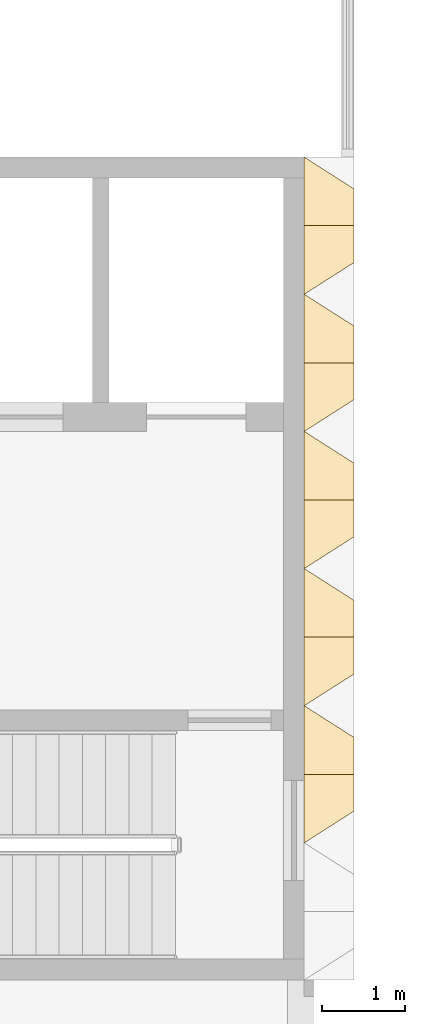
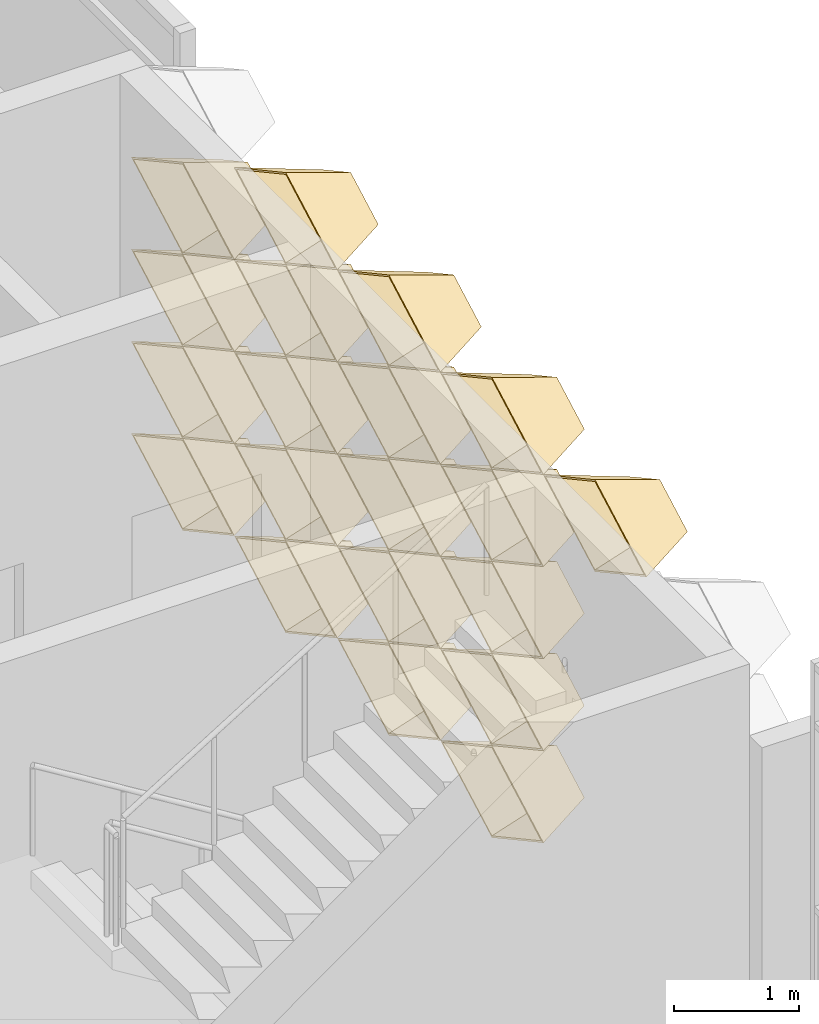
# One storey, part 80 of 102: 20 coverings.
"""IFC4 building model written with IfcOpenShell, lengths in metres."""

from ifc_helpers import new_model, entity, si_unit, direction, frame, origin, place, context, subcontext, project, spatial, material, layer, layer_set, type_object, element, save


model = new_model("IFC4")

# Units and contexts
model_context = context("Model", 3, precision=1e-05, world=origin(), true_north=direction((0.0, 1.0)))
body_context = subcontext(model_context, "Body", "Model", "MODEL_VIEW")
ifc_project = project(units=[si_unit("LENGTHUNIT", "METRE"), si_unit("AREAUNIT", "SQUARE_METRE"), si_unit("VOLUMEUNIT", "CUBIC_METRE"), si_unit("PLANEANGLEUNIT", "RADIAN"), si_unit("MASSUNIT", "GRAM", prefix="KILO")], contexts=[model_context])

# Site, building, storey
site_placement = place(None, origin())
site = spatial("IfcSite", under=ifc_project, at=site_placement, CompositionType="ELEMENT")
building_placement = place(site_placement, origin())
building = spatial("IfcBuilding", under=site, at=building_placement, Name="Lantern Court Research Institute", CompositionType="ELEMENT")
storey_placement = place(building_placement, frame((0.0, 0.0, 9.89990234375)))
storey = spatial("IfcBuildingStorey", under=building, at=storey_placement, Name="L02", CompositionType="ELEMENT", Elevation=9.89990234375)

# Coverings
ifc_material = material(Name="Anodised aluminium", Category="aluminium")
ifc_layer = layer(ifc_material, 0.01611328125)
ifc_layer_set = layer_set([ifc_layer], Name="Anodised aluminium")
covering_type = type_object("IfcCoveringType", Name="Fin cassette 1650 x 900 x 600 aluminium", PredefinedType="CLADDING", material=ifc_layer_set)
covering_1_placement = place(storey_placement, frame((79.199951171875, 17.324951171875, 0.4501953125), z_axis=(1.0, 0.0, 0.0), x_axis=(0.0, 1.0, 0.0)))
cartesian_point_1 = entity("IfcCartesianPoint", [0.824951171875, 0.0])
cartesian_point_2 = entity("IfcCartesianPoint", [0.79150390625, 0.0])
cartesian_point_3 = entity("IfcCartesianPoint", [0.44189453125, 0.0])
cartesian_point_4 = entity("IfcCartesianPoint", [0.43359375, 0.0])
element("IfcCovering", 1, at=covering_1_placement, inside=storey, type_object=covering_type, Name="Fin cassette V5E-L02 1.11", PredefinedType="CLADDING", context=body_context, shape_type="SweptSolid", body=[
    entity("IfcExtrudedAreaSolidTapered", entity("IfcArbitraryProfileDefWithVoids", "AREA", None, entity("IfcPolyline", [cartesian_point_1, entity("IfcCartesianPoint", [0.0, 0.449951171875]), entity("IfcCartesianPoint", [-0.824951171875, 0.0]), entity("IfcCartesianPoint", [0.0, -0.449951171875]), cartesian_point_1]), [entity("IfcPolyline", [cartesian_point_2, entity("IfcCartesianPoint", [0.0, 0.431884765625]), entity("IfcCartesianPoint", [-0.79150390625, 0.0]), entity("IfcCartesianPoint", [0.0, -0.431884765625]), cartesian_point_2])]), entity("IfcAxis2Placement3D", entity("IfcCartesianPoint", [0.0, 0.0, 0.0])), entity("IfcDirection", [0.0, 0.0, 1.0]), 0.60009765625, entity("IfcArbitraryProfileDefWithVoids", "AREA", None, entity("IfcPolyline", [cartesian_point_3, entity("IfcCartesianPoint", [0.0, 0.240966796875]), entity("IfcCartesianPoint", [-0.44189453125, 0.0]), entity("IfcCartesianPoint", [0.0, -0.240966796875]), cartesian_point_3]), [entity("IfcPolyline", [cartesian_point_4, entity("IfcCartesianPoint", [0.0, 0.236572265625]), entity("IfcCartesianPoint", [-0.43359375, 0.0]), entity("IfcCartesianPoint", [0.0, -0.236572265625]), cartesian_point_4])])),
])
covering_2_placement = place(storey_placement, frame((79.199951171875, 18.97509765625, 0.4501953125), z_axis=(1.0, 0.0, 0.0), x_axis=(0.0, 1.0, 0.0)))
cartesian_point_5 = entity("IfcCartesianPoint", [0.824951171875, 0.0])
cartesian_point_6 = entity("IfcCartesianPoint", [0.79150390625, 0.0])
cartesian_point_7 = entity("IfcCartesianPoint", [0.44189453125, 0.0])
cartesian_point_8 = entity("IfcCartesianPoint", [0.43359375, 0.0])
element("IfcCovering", 2, at=covering_2_placement, inside=storey, type_object=covering_type, Name="Fin cassette V5E-L02 1.12", PredefinedType="CLADDING", context=body_context, shape_type="SweptSolid", body=[
    entity("IfcExtrudedAreaSolidTapered", entity("IfcArbitraryProfileDefWithVoids", "AREA", None, entity("IfcPolyline", [cartesian_point_5, entity("IfcCartesianPoint", [0.0, 0.449951171875]), entity("IfcCartesianPoint", [-0.824951171875, 0.0]), entity("IfcCartesianPoint", [0.0, -0.449951171875]), cartesian_point_5]), [entity("IfcPolyline", [cartesian_point_6, entity("IfcCartesianPoint", [0.0, 0.431884765625]), entity("IfcCartesianPoint", [-0.79150390625, 0.0]), entity("IfcCartesianPoint", [0.0, -0.431884765625]), cartesian_point_6])]), entity("IfcAxis2Placement3D", entity("IfcCartesianPoint", [0.0, 0.0, 0.0])), entity("IfcDirection", [0.0, 0.0, 1.0]), 0.60009765625, entity("IfcArbitraryProfileDefWithVoids", "AREA", None, entity("IfcPolyline", [cartesian_point_7, entity("IfcCartesianPoint", [0.0, 0.240966796875]), entity("IfcCartesianPoint", [-0.44189453125, 0.0]), entity("IfcCartesianPoint", [0.0, -0.240966796875]), cartesian_point_7]), [entity("IfcPolyline", [cartesian_point_8, entity("IfcCartesianPoint", [0.0, 0.236572265625]), entity("IfcCartesianPoint", [-0.43359375, 0.0]), entity("IfcCartesianPoint", [0.0, -0.236572265625]), cartesian_point_8])])),
])
covering_3_placement = place(storey_placement, frame((79.199951171875, 20.625, 0.4501953125), z_axis=(1.0, 0.0, 0.0), x_axis=(0.0, 1.0, 0.0)))
cartesian_point_9 = entity("IfcCartesianPoint", [0.824951171875, 0.0])
cartesian_point_10 = entity("IfcCartesianPoint", [0.79150390625, 0.0])
cartesian_point_11 = entity("IfcCartesianPoint", [0.44189453125, 0.0])
cartesian_point_12 = entity("IfcCartesianPoint", [0.43359375, 0.0])
element("IfcCovering", 3, at=covering_3_placement, inside=storey, type_object=covering_type, Name="Fin cassette V5E-L02 1.13", PredefinedType="CLADDING", context=body_context, shape_type="SweptSolid", body=[
    entity("IfcExtrudedAreaSolidTapered", entity("IfcArbitraryProfileDefWithVoids", "AREA", None, entity("IfcPolyline", [cartesian_point_9, entity("IfcCartesianPoint", [0.0, 0.449951171875]), entity("IfcCartesianPoint", [-0.824951171875, 0.0]), entity("IfcCartesianPoint", [0.0, -0.449951171875]), cartesian_point_9]), [entity("IfcPolyline", [cartesian_point_10, entity("IfcCartesianPoint", [0.0, 0.431884765625]), entity("IfcCartesianPoint", [-0.79150390625, 0.0]), entity("IfcCartesianPoint", [0.0, -0.431884765625]), cartesian_point_10])]), entity("IfcAxis2Placement3D", entity("IfcCartesianPoint", [0.0, 0.0, 0.0])), entity("IfcDirection", [0.0, 0.0, 1.0]), 0.60009765625, entity("IfcArbitraryProfileDefWithVoids", "AREA", None, entity("IfcPolyline", [cartesian_point_11, entity("IfcCartesianPoint", [0.0, 0.240966796875]), entity("IfcCartesianPoint", [-0.44189453125, 0.0]), entity("IfcCartesianPoint", [0.0, -0.240966796875]), cartesian_point_11]), [entity("IfcPolyline", [cartesian_point_12, entity("IfcCartesianPoint", [0.0, 0.236572265625]), entity("IfcCartesianPoint", [-0.43359375, 0.0]), entity("IfcCartesianPoint", [0.0, -0.236572265625]), cartesian_point_12])])),
])
covering_4_placement = place(storey_placement, frame((79.199951171875, 22.27490234375, 0.4501953125), z_axis=(1.0, 0.0, 0.0), x_axis=(0.0, 1.0, 0.0)))
cartesian_point_13 = entity("IfcCartesianPoint", [0.824951171875, 0.0])
cartesian_point_14 = entity("IfcCartesianPoint", [0.79150390625, 0.0])
cartesian_point_15 = entity("IfcCartesianPoint", [0.44189453125, 0.0])
cartesian_point_16 = entity("IfcCartesianPoint", [0.43359375, 0.0])
element("IfcCovering", 4, at=covering_4_placement, inside=storey, type_object=covering_type, Name="Fin cassette V5E-L02 1.14", PredefinedType="CLADDING", context=body_context, shape_type="SweptSolid", body=[
    entity("IfcExtrudedAreaSolidTapered", entity("IfcArbitraryProfileDefWithVoids", "AREA", None, entity("IfcPolyline", [cartesian_point_13, entity("IfcCartesianPoint", [0.0, 0.449951171875]), entity("IfcCartesianPoint", [-0.824951171875, 0.0]), entity("IfcCartesianPoint", [0.0, -0.449951171875]), cartesian_point_13]), [entity("IfcPolyline", [cartesian_point_14, entity("IfcCartesianPoint", [0.0, 0.431884765625]), entity("IfcCartesianPoint", [-0.79150390625, 0.0]), entity("IfcCartesianPoint", [0.0, -0.431884765625]), cartesian_point_14])]), entity("IfcAxis2Placement3D", entity("IfcCartesianPoint", [0.0, 0.0, 0.0])), entity("IfcDirection", [0.0, 0.0, 1.0]), 0.60009765625, entity("IfcArbitraryProfileDefWithVoids", "AREA", None, entity("IfcPolyline", [cartesian_point_15, entity("IfcCartesianPoint", [0.0, 0.240966796875]), entity("IfcCartesianPoint", [-0.44189453125, 0.0]), entity("IfcCartesianPoint", [0.0, -0.240966796875]), cartesian_point_15]), [entity("IfcPolyline", [cartesian_point_16, entity("IfcCartesianPoint", [0.0, 0.236572265625]), entity("IfcCartesianPoint", [-0.43359375, 0.0]), entity("IfcCartesianPoint", [0.0, -0.236572265625]), cartesian_point_16])])),
])
covering_5_placement = place(storey_placement, frame((79.199951171875, 17.324951171875, 1.35009765625), z_axis=(1.0, 0.0, 0.0), x_axis=(0.0, 1.0, 0.0)))
cartesian_point_17 = entity("IfcCartesianPoint", [0.824951171875, 0.0])
cartesian_point_18 = entity("IfcCartesianPoint", [0.79150390625, 0.0])
cartesian_point_19 = entity("IfcCartesianPoint", [0.44189453125, 0.0])
cartesian_point_20 = entity("IfcCartesianPoint", [0.43359375, 0.0])
element("IfcCovering", 5, at=covering_5_placement, inside=storey, type_object=covering_type, Name="Fin cassette V5E-L02 2.11", PredefinedType="CLADDING", context=body_context, shape_type="SweptSolid", body=[
    entity("IfcExtrudedAreaSolidTapered", entity("IfcArbitraryProfileDefWithVoids", "AREA", None, entity("IfcPolyline", [cartesian_point_17, entity("IfcCartesianPoint", [0.0, 0.449951171875]), entity("IfcCartesianPoint", [-0.824951171875, 0.0]), entity("IfcCartesianPoint", [0.0, -0.449951171875]), cartesian_point_17]), [entity("IfcPolyline", [cartesian_point_18, entity("IfcCartesianPoint", [0.0, 0.431884765625]), entity("IfcCartesianPoint", [-0.79150390625, 0.0]), entity("IfcCartesianPoint", [0.0, -0.431884765625]), cartesian_point_18])]), entity("IfcAxis2Placement3D", entity("IfcCartesianPoint", [0.0, 0.0, 0.0])), entity("IfcDirection", [0.0, 0.0, 1.0]), 0.60009765625, entity("IfcArbitraryProfileDefWithVoids", "AREA", None, entity("IfcPolyline", [cartesian_point_19, entity("IfcCartesianPoint", [0.0, 0.240966796875]), entity("IfcCartesianPoint", [-0.44189453125, 0.0]), entity("IfcCartesianPoint", [0.0, -0.240966796875]), cartesian_point_19]), [entity("IfcPolyline", [cartesian_point_20, entity("IfcCartesianPoint", [0.0, 0.236572265625]), entity("IfcCartesianPoint", [-0.43359375, 0.0]), entity("IfcCartesianPoint", [0.0, -0.236572265625]), cartesian_point_20])])),
])
covering_6_placement = place(storey_placement, frame((79.199951171875, 18.97509765625, 1.35009765625), z_axis=(1.0, 0.0, 0.0), x_axis=(0.0, 1.0, 0.0)))
cartesian_point_21 = entity("IfcCartesianPoint", [0.824951171875, 0.0])
cartesian_point_22 = entity("IfcCartesianPoint", [0.79150390625, 0.0])
cartesian_point_23 = entity("IfcCartesianPoint", [0.44189453125, 0.0])
cartesian_point_24 = entity("IfcCartesianPoint", [0.43359375, 0.0])
element("IfcCovering", 6, at=covering_6_placement, inside=storey, type_object=covering_type, Name="Fin cassette V5E-L02 2.12", PredefinedType="CLADDING", context=body_context, shape_type="SweptSolid", body=[
    entity("IfcExtrudedAreaSolidTapered", entity("IfcArbitraryProfileDefWithVoids", "AREA", None, entity("IfcPolyline", [cartesian_point_21, entity("IfcCartesianPoint", [0.0, 0.449951171875]), entity("IfcCartesianPoint", [-0.824951171875, 0.0]), entity("IfcCartesianPoint", [0.0, -0.449951171875]), cartesian_point_21]), [entity("IfcPolyline", [cartesian_point_22, entity("IfcCartesianPoint", [0.0, 0.431884765625]), entity("IfcCartesianPoint", [-0.79150390625, 0.0]), entity("IfcCartesianPoint", [0.0, -0.431884765625]), cartesian_point_22])]), entity("IfcAxis2Placement3D", entity("IfcCartesianPoint", [0.0, 0.0, 0.0])), entity("IfcDirection", [0.0, 0.0, 1.0]), 0.60009765625, entity("IfcArbitraryProfileDefWithVoids", "AREA", None, entity("IfcPolyline", [cartesian_point_23, entity("IfcCartesianPoint", [0.0, 0.240966796875]), entity("IfcCartesianPoint", [-0.44189453125, 0.0]), entity("IfcCartesianPoint", [0.0, -0.240966796875]), cartesian_point_23]), [entity("IfcPolyline", [cartesian_point_24, entity("IfcCartesianPoint", [0.0, 0.236572265625]), entity("IfcCartesianPoint", [-0.43359375, 0.0]), entity("IfcCartesianPoint", [0.0, -0.236572265625]), cartesian_point_24])])),
])
covering_7_placement = place(storey_placement, frame((79.199951171875, 20.625, 1.35009765625), z_axis=(1.0, 0.0, 0.0), x_axis=(0.0, 1.0, 0.0)))
cartesian_point_25 = entity("IfcCartesianPoint", [0.824951171875, 0.0])
cartesian_point_26 = entity("IfcCartesianPoint", [0.79150390625, 0.0])
cartesian_point_27 = entity("IfcCartesianPoint", [0.44189453125, 0.0])
cartesian_point_28 = entity("IfcCartesianPoint", [0.43359375, 0.0])
element("IfcCovering", 7, at=covering_7_placement, inside=storey, type_object=covering_type, Name="Fin cassette V5E-L02 2.13", PredefinedType="CLADDING", context=body_context, shape_type="SweptSolid", body=[
    entity("IfcExtrudedAreaSolidTapered", entity("IfcArbitraryProfileDefWithVoids", "AREA", None, entity("IfcPolyline", [cartesian_point_25, entity("IfcCartesianPoint", [0.0, 0.449951171875]), entity("IfcCartesianPoint", [-0.824951171875, 0.0]), entity("IfcCartesianPoint", [0.0, -0.449951171875]), cartesian_point_25]), [entity("IfcPolyline", [cartesian_point_26, entity("IfcCartesianPoint", [0.0, 0.431884765625]), entity("IfcCartesianPoint", [-0.79150390625, 0.0]), entity("IfcCartesianPoint", [0.0, -0.431884765625]), cartesian_point_26])]), entity("IfcAxis2Placement3D", entity("IfcCartesianPoint", [0.0, 0.0, 0.0])), entity("IfcDirection", [0.0, 0.0, 1.0]), 0.60009765625, entity("IfcArbitraryProfileDefWithVoids", "AREA", None, entity("IfcPolyline", [cartesian_point_27, entity("IfcCartesianPoint", [0.0, 0.240966796875]), entity("IfcCartesianPoint", [-0.44189453125, 0.0]), entity("IfcCartesianPoint", [0.0, -0.240966796875]), cartesian_point_27]), [entity("IfcPolyline", [cartesian_point_28, entity("IfcCartesianPoint", [0.0, 0.236572265625]), entity("IfcCartesianPoint", [-0.43359375, 0.0]), entity("IfcCartesianPoint", [0.0, -0.236572265625]), cartesian_point_28])])),
])
covering_8_placement = place(storey_placement, frame((79.199951171875, 22.27490234375, 1.35009765625), z_axis=(1.0, 0.0, 0.0), x_axis=(0.0, 1.0, 0.0)))
cartesian_point_29 = entity("IfcCartesianPoint", [0.824951171875, 0.0])
cartesian_point_30 = entity("IfcCartesianPoint", [0.79150390625, 0.0])
cartesian_point_31 = entity("IfcCartesianPoint", [0.44189453125, 0.0])
cartesian_point_32 = entity("IfcCartesianPoint", [0.43359375, 0.0])
element("IfcCovering", 8, at=covering_8_placement, inside=storey, type_object=covering_type, Name="Fin cassette V5E-L02 2.14", PredefinedType="CLADDING", context=body_context, shape_type="SweptSolid", body=[
    entity("IfcExtrudedAreaSolidTapered", entity("IfcArbitraryProfileDefWithVoids", "AREA", None, entity("IfcPolyline", [cartesian_point_29, entity("IfcCartesianPoint", [0.0, 0.449951171875]), entity("IfcCartesianPoint", [-0.824951171875, 0.0]), entity("IfcCartesianPoint", [0.0, -0.449951171875]), cartesian_point_29]), [entity("IfcPolyline", [cartesian_point_30, entity("IfcCartesianPoint", [0.0, 0.431884765625]), entity("IfcCartesianPoint", [-0.79150390625, 0.0]), entity("IfcCartesianPoint", [0.0, -0.431884765625]), cartesian_point_30])]), entity("IfcAxis2Placement3D", entity("IfcCartesianPoint", [0.0, 0.0, 0.0])), entity("IfcDirection", [0.0, 0.0, 1.0]), 0.60009765625, entity("IfcArbitraryProfileDefWithVoids", "AREA", None, entity("IfcPolyline", [cartesian_point_31, entity("IfcCartesianPoint", [0.0, 0.240966796875]), entity("IfcCartesianPoint", [-0.44189453125, 0.0]), entity("IfcCartesianPoint", [0.0, -0.240966796875]), cartesian_point_31]), [entity("IfcPolyline", [cartesian_point_32, entity("IfcCartesianPoint", [0.0, 0.236572265625]), entity("IfcCartesianPoint", [-0.43359375, 0.0]), entity("IfcCartesianPoint", [0.0, -0.236572265625]), cartesian_point_32])])),
])
covering_9_placement = place(storey_placement, frame((79.199951171875, 17.324951171875, 2.25), z_axis=(1.0, 0.0, 0.0), x_axis=(0.0, 1.0, 0.0)))
cartesian_point_33 = entity("IfcCartesianPoint", [0.824951171875, 0.0])
cartesian_point_34 = entity("IfcCartesianPoint", [0.79150390625, 0.0])
cartesian_point_35 = entity("IfcCartesianPoint", [0.44189453125, 0.0])
cartesian_point_36 = entity("IfcCartesianPoint", [0.43359375, 0.0])
element("IfcCovering", 9, at=covering_9_placement, inside=storey, type_object=covering_type, Name="Fin cassette V5E-L02 3.11", PredefinedType="CLADDING", context=body_context, shape_type="SweptSolid", body=[
    entity("IfcExtrudedAreaSolidTapered", entity("IfcArbitraryProfileDefWithVoids", "AREA", None, entity("IfcPolyline", [cartesian_point_33, entity("IfcCartesianPoint", [0.0, 0.449951171875]), entity("IfcCartesianPoint", [-0.824951171875, 0.0]), entity("IfcCartesianPoint", [0.0, -0.449951171875]), cartesian_point_33]), [entity("IfcPolyline", [cartesian_point_34, entity("IfcCartesianPoint", [0.0, 0.431884765625]), entity("IfcCartesianPoint", [-0.79150390625, 0.0]), entity("IfcCartesianPoint", [0.0, -0.431884765625]), cartesian_point_34])]), entity("IfcAxis2Placement3D", entity("IfcCartesianPoint", [0.0, 0.0, 0.0])), entity("IfcDirection", [0.0, 0.0, 1.0]), 0.60009765625, entity("IfcArbitraryProfileDefWithVoids", "AREA", None, entity("IfcPolyline", [cartesian_point_35, entity("IfcCartesianPoint", [0.0, 0.240966796875]), entity("IfcCartesianPoint", [-0.44189453125, 0.0]), entity("IfcCartesianPoint", [0.0, -0.240966796875]), cartesian_point_35]), [entity("IfcPolyline", [cartesian_point_36, entity("IfcCartesianPoint", [0.0, 0.236572265625]), entity("IfcCartesianPoint", [-0.43359375, 0.0]), entity("IfcCartesianPoint", [0.0, -0.236572265625]), cartesian_point_36])])),
])
covering_10_placement = place(storey_placement, frame((79.199951171875, 18.97509765625, 2.25), z_axis=(1.0, 0.0, 0.0), x_axis=(0.0, 1.0, 0.0)))
cartesian_point_37 = entity("IfcCartesianPoint", [0.824951171875, 0.0])
cartesian_point_38 = entity("IfcCartesianPoint", [0.79150390625, 0.0])
cartesian_point_39 = entity("IfcCartesianPoint", [0.44189453125, 0.0])
cartesian_point_40 = entity("IfcCartesianPoint", [0.43359375, 0.0])
element("IfcCovering", 10, at=covering_10_placement, inside=storey, type_object=covering_type, Name="Fin cassette V5E-L02 3.12", PredefinedType="CLADDING", context=body_context, shape_type="SweptSolid", body=[
    entity("IfcExtrudedAreaSolidTapered", entity("IfcArbitraryProfileDefWithVoids", "AREA", None, entity("IfcPolyline", [cartesian_point_37, entity("IfcCartesianPoint", [0.0, 0.449951171875]), entity("IfcCartesianPoint", [-0.824951171875, 0.0]), entity("IfcCartesianPoint", [0.0, -0.449951171875]), cartesian_point_37]), [entity("IfcPolyline", [cartesian_point_38, entity("IfcCartesianPoint", [0.0, 0.431884765625]), entity("IfcCartesianPoint", [-0.79150390625, 0.0]), entity("IfcCartesianPoint", [0.0, -0.431884765625]), cartesian_point_38])]), entity("IfcAxis2Placement3D", entity("IfcCartesianPoint", [0.0, 0.0, 0.0])), entity("IfcDirection", [0.0, 0.0, 1.0]), 0.60009765625, entity("IfcArbitraryProfileDefWithVoids", "AREA", None, entity("IfcPolyline", [cartesian_point_39, entity("IfcCartesianPoint", [0.0, 0.240966796875]), entity("IfcCartesianPoint", [-0.44189453125, 0.0]), entity("IfcCartesianPoint", [0.0, -0.240966796875]), cartesian_point_39]), [entity("IfcPolyline", [cartesian_point_40, entity("IfcCartesianPoint", [0.0, 0.236572265625]), entity("IfcCartesianPoint", [-0.43359375, 0.0]), entity("IfcCartesianPoint", [0.0, -0.236572265625]), cartesian_point_40])])),
])
covering_11_placement = place(storey_placement, frame((79.199951171875, 20.625, 2.25), z_axis=(1.0, 0.0, 0.0), x_axis=(0.0, 1.0, 0.0)))
cartesian_point_41 = entity("IfcCartesianPoint", [0.824951171875, 0.0])
cartesian_point_42 = entity("IfcCartesianPoint", [0.79150390625, 0.0])
cartesian_point_43 = entity("IfcCartesianPoint", [0.44189453125, 0.0])
cartesian_point_44 = entity("IfcCartesianPoint", [0.43359375, 0.0])
element("IfcCovering", 11, at=covering_11_placement, inside=storey, type_object=covering_type, Name="Fin cassette V5E-L02 3.13", PredefinedType="CLADDING", context=body_context, shape_type="SweptSolid", body=[
    entity("IfcExtrudedAreaSolidTapered", entity("IfcArbitraryProfileDefWithVoids", "AREA", None, entity("IfcPolyline", [cartesian_point_41, entity("IfcCartesianPoint", [0.0, 0.449951171875]), entity("IfcCartesianPoint", [-0.824951171875, 0.0]), entity("IfcCartesianPoint", [0.0, -0.449951171875]), cartesian_point_41]), [entity("IfcPolyline", [cartesian_point_42, entity("IfcCartesianPoint", [0.0, 0.431884765625]), entity("IfcCartesianPoint", [-0.79150390625, 0.0]), entity("IfcCartesianPoint", [0.0, -0.431884765625]), cartesian_point_42])]), entity("IfcAxis2Placement3D", entity("IfcCartesianPoint", [0.0, 0.0, 0.0])), entity("IfcDirection", [0.0, 0.0, 1.0]), 0.60009765625, entity("IfcArbitraryProfileDefWithVoids", "AREA", None, entity("IfcPolyline", [cartesian_point_43, entity("IfcCartesianPoint", [0.0, 0.240966796875]), entity("IfcCartesianPoint", [-0.44189453125, 0.0]), entity("IfcCartesianPoint", [0.0, -0.240966796875]), cartesian_point_43]), [entity("IfcPolyline", [cartesian_point_44, entity("IfcCartesianPoint", [0.0, 0.236572265625]), entity("IfcCartesianPoint", [-0.43359375, 0.0]), entity("IfcCartesianPoint", [0.0, -0.236572265625]), cartesian_point_44])])),
])
covering_12_placement = place(storey_placement, frame((79.199951171875, 22.27490234375, 2.25), z_axis=(1.0, 0.0, 0.0), x_axis=(0.0, 1.0, 0.0)))
cartesian_point_45 = entity("IfcCartesianPoint", [0.824951171875, 0.0])
cartesian_point_46 = entity("IfcCartesianPoint", [0.79150390625, 0.0])
cartesian_point_47 = entity("IfcCartesianPoint", [0.44189453125, 0.0])
cartesian_point_48 = entity("IfcCartesianPoint", [0.43359375, 0.0])
element("IfcCovering", 12, at=covering_12_placement, inside=storey, type_object=covering_type, Name="Fin cassette V5E-L02 3.14", PredefinedType="CLADDING", context=body_context, shape_type="SweptSolid", body=[
    entity("IfcExtrudedAreaSolidTapered", entity("IfcArbitraryProfileDefWithVoids", "AREA", None, entity("IfcPolyline", [cartesian_point_45, entity("IfcCartesianPoint", [0.0, 0.449951171875]), entity("IfcCartesianPoint", [-0.824951171875, 0.0]), entity("IfcCartesianPoint", [0.0, -0.449951171875]), cartesian_point_45]), [entity("IfcPolyline", [cartesian_point_46, entity("IfcCartesianPoint", [0.0, 0.431884765625]), entity("IfcCartesianPoint", [-0.79150390625, 0.0]), entity("IfcCartesianPoint", [0.0, -0.431884765625]), cartesian_point_46])]), entity("IfcAxis2Placement3D", entity("IfcCartesianPoint", [0.0, 0.0, 0.0])), entity("IfcDirection", [0.0, 0.0, 1.0]), 0.60009765625, entity("IfcArbitraryProfileDefWithVoids", "AREA", None, entity("IfcPolyline", [cartesian_point_47, entity("IfcCartesianPoint", [0.0, 0.240966796875]), entity("IfcCartesianPoint", [-0.44189453125, 0.0]), entity("IfcCartesianPoint", [0.0, -0.240966796875]), cartesian_point_47]), [entity("IfcPolyline", [cartesian_point_48, entity("IfcCartesianPoint", [0.0, 0.236572265625]), entity("IfcCartesianPoint", [-0.43359375, 0.0]), entity("IfcCartesianPoint", [0.0, -0.236572265625]), cartesian_point_48])])),
])
covering_13_placement = place(storey_placement, frame((79.199951171875, 17.324951171875, 3.150146484375), z_axis=(1.0, 0.0, 0.0), x_axis=(0.0, 1.0, 0.0)))
cartesian_point_49 = entity("IfcCartesianPoint", [0.824951171875, 0.0])
cartesian_point_50 = entity("IfcCartesianPoint", [0.79150390625, 0.0])
cartesian_point_51 = entity("IfcCartesianPoint", [0.44189453125, 0.0])
cartesian_point_52 = entity("IfcCartesianPoint", [0.43359375, 0.0])
element("IfcCovering", 13, at=covering_13_placement, inside=storey, type_object=covering_type, Name="Fin cassette V5E-L02 4.11", PredefinedType="CLADDING", context=body_context, shape_type="SweptSolid", body=[
    entity("IfcExtrudedAreaSolidTapered", entity("IfcArbitraryProfileDefWithVoids", "AREA", None, entity("IfcPolyline", [cartesian_point_49, entity("IfcCartesianPoint", [0.0, 0.449951171875]), entity("IfcCartesianPoint", [-0.824951171875, 0.0]), entity("IfcCartesianPoint", [0.0, -0.449951171875]), cartesian_point_49]), [entity("IfcPolyline", [cartesian_point_50, entity("IfcCartesianPoint", [0.0, 0.431884765625]), entity("IfcCartesianPoint", [-0.79150390625, 0.0]), entity("IfcCartesianPoint", [0.0, -0.431884765625]), cartesian_point_50])]), entity("IfcAxis2Placement3D", entity("IfcCartesianPoint", [0.0, 0.0, 0.0])), entity("IfcDirection", [0.0, 0.0, 1.0]), 0.60009765625, entity("IfcArbitraryProfileDefWithVoids", "AREA", None, entity("IfcPolyline", [cartesian_point_51, entity("IfcCartesianPoint", [0.0, 0.240966796875]), entity("IfcCartesianPoint", [-0.44189453125, 0.0]), entity("IfcCartesianPoint", [0.0, -0.240966796875]), cartesian_point_51]), [entity("IfcPolyline", [cartesian_point_52, entity("IfcCartesianPoint", [0.0, 0.236572265625]), entity("IfcCartesianPoint", [-0.43359375, 0.0]), entity("IfcCartesianPoint", [0.0, -0.236572265625]), cartesian_point_52])])),
])
covering_14_placement = place(storey_placement, frame((79.199951171875, 18.97509765625, 3.150146484375), z_axis=(1.0, 0.0, 0.0), x_axis=(0.0, 1.0, 0.0)))
cartesian_point_53 = entity("IfcCartesianPoint", [0.824951171875, 0.0])
cartesian_point_54 = entity("IfcCartesianPoint", [0.79150390625, 0.0])
cartesian_point_55 = entity("IfcCartesianPoint", [0.44189453125, 0.0])
cartesian_point_56 = entity("IfcCartesianPoint", [0.43359375, 0.0])
element("IfcCovering", 14, at=covering_14_placement, inside=storey, type_object=covering_type, Name="Fin cassette V5E-L02 4.12", PredefinedType="CLADDING", context=body_context, shape_type="SweptSolid", body=[
    entity("IfcExtrudedAreaSolidTapered", entity("IfcArbitraryProfileDefWithVoids", "AREA", None, entity("IfcPolyline", [cartesian_point_53, entity("IfcCartesianPoint", [0.0, 0.449951171875]), entity("IfcCartesianPoint", [-0.824951171875, 0.0]), entity("IfcCartesianPoint", [0.0, -0.449951171875]), cartesian_point_53]), [entity("IfcPolyline", [cartesian_point_54, entity("IfcCartesianPoint", [0.0, 0.431884765625]), entity("IfcCartesianPoint", [-0.79150390625, 0.0]), entity("IfcCartesianPoint", [0.0, -0.431884765625]), cartesian_point_54])]), entity("IfcAxis2Placement3D", entity("IfcCartesianPoint", [0.0, 0.0, 0.0])), entity("IfcDirection", [0.0, 0.0, 1.0]), 0.60009765625, entity("IfcArbitraryProfileDefWithVoids", "AREA", None, entity("IfcPolyline", [cartesian_point_55, entity("IfcCartesianPoint", [0.0, 0.240966796875]), entity("IfcCartesianPoint", [-0.44189453125, 0.0]), entity("IfcCartesianPoint", [0.0, -0.240966796875]), cartesian_point_55]), [entity("IfcPolyline", [cartesian_point_56, entity("IfcCartesianPoint", [0.0, 0.236572265625]), entity("IfcCartesianPoint", [-0.43359375, 0.0]), entity("IfcCartesianPoint", [0.0, -0.236572265625]), cartesian_point_56])])),
])
covering_15_placement = place(storey_placement, frame((79.199951171875, 20.625, 3.150146484375), z_axis=(1.0, 0.0, 0.0), x_axis=(0.0, 1.0, 0.0)))
cartesian_point_57 = entity("IfcCartesianPoint", [0.824951171875, 0.0])
cartesian_point_58 = entity("IfcCartesianPoint", [0.79150390625, 0.0])
cartesian_point_59 = entity("IfcCartesianPoint", [0.44189453125, 0.0])
cartesian_point_60 = entity("IfcCartesianPoint", [0.43359375, 0.0])
element("IfcCovering", 15, at=covering_15_placement, inside=storey, type_object=covering_type, Name="Fin cassette V5E-L02 4.13", PredefinedType="CLADDING", context=body_context, shape_type="SweptSolid", body=[
    entity("IfcExtrudedAreaSolidTapered", entity("IfcArbitraryProfileDefWithVoids", "AREA", None, entity("IfcPolyline", [cartesian_point_57, entity("IfcCartesianPoint", [0.0, 0.449951171875]), entity("IfcCartesianPoint", [-0.824951171875, 0.0]), entity("IfcCartesianPoint", [0.0, -0.449951171875]), cartesian_point_57]), [entity("IfcPolyline", [cartesian_point_58, entity("IfcCartesianPoint", [0.0, 0.431884765625]), entity("IfcCartesianPoint", [-0.79150390625, 0.0]), entity("IfcCartesianPoint", [0.0, -0.431884765625]), cartesian_point_58])]), entity("IfcAxis2Placement3D", entity("IfcCartesianPoint", [0.0, 0.0, 0.0])), entity("IfcDirection", [0.0, 0.0, 1.0]), 0.60009765625, entity("IfcArbitraryProfileDefWithVoids", "AREA", None, entity("IfcPolyline", [cartesian_point_59, entity("IfcCartesianPoint", [0.0, 0.240966796875]), entity("IfcCartesianPoint", [-0.44189453125, 0.0]), entity("IfcCartesianPoint", [0.0, -0.240966796875]), cartesian_point_59]), [entity("IfcPolyline", [cartesian_point_60, entity("IfcCartesianPoint", [0.0, 0.236572265625]), entity("IfcCartesianPoint", [-0.43359375, 0.0]), entity("IfcCartesianPoint", [0.0, -0.236572265625]), cartesian_point_60])])),
])
covering_16_placement = place(storey_placement, frame((79.199951171875, 22.27490234375, 3.150146484375), z_axis=(1.0, 0.0, 0.0), x_axis=(0.0, 1.0, 0.0)))
cartesian_point_61 = entity("IfcCartesianPoint", [0.824951171875, 0.0])
cartesian_point_62 = entity("IfcCartesianPoint", [0.79150390625, 0.0])
cartesian_point_63 = entity("IfcCartesianPoint", [0.44189453125, 0.0])
cartesian_point_64 = entity("IfcCartesianPoint", [0.43359375, 0.0])
element("IfcCovering", 16, at=covering_16_placement, inside=storey, type_object=covering_type, Name="Fin cassette V5E-L02 4.14", PredefinedType="CLADDING", context=body_context, shape_type="SweptSolid", body=[
    entity("IfcExtrudedAreaSolidTapered", entity("IfcArbitraryProfileDefWithVoids", "AREA", None, entity("IfcPolyline", [cartesian_point_61, entity("IfcCartesianPoint", [0.0, 0.449951171875]), entity("IfcCartesianPoint", [-0.824951171875, 0.0]), entity("IfcCartesianPoint", [0.0, -0.449951171875]), cartesian_point_61]), [entity("IfcPolyline", [cartesian_point_62, entity("IfcCartesianPoint", [0.0, 0.431884765625]), entity("IfcCartesianPoint", [-0.79150390625, 0.0]), entity("IfcCartesianPoint", [0.0, -0.431884765625]), cartesian_point_62])]), entity("IfcAxis2Placement3D", entity("IfcCartesianPoint", [0.0, 0.0, 0.0])), entity("IfcDirection", [0.0, 0.0, 1.0]), 0.60009765625, entity("IfcArbitraryProfileDefWithVoids", "AREA", None, entity("IfcPolyline", [cartesian_point_63, entity("IfcCartesianPoint", [0.0, 0.240966796875]), entity("IfcCartesianPoint", [-0.44189453125, 0.0]), entity("IfcCartesianPoint", [0.0, -0.240966796875]), cartesian_point_63]), [entity("IfcPolyline", [cartesian_point_64, entity("IfcCartesianPoint", [0.0, 0.236572265625]), entity("IfcCartesianPoint", [-0.43359375, 0.0]), entity("IfcCartesianPoint", [0.0, -0.236572265625]), cartesian_point_64])])),
])
covering_17_placement = place(storey_placement, frame((79.199951171875, 15.675048828125, 4.050048828125), z_axis=(1.0, 0.0, 0.0), x_axis=(0.0, 1.0, 0.0)))
cartesian_point_65 = entity("IfcCartesianPoint", [0.824951171875, 0.0])
cartesian_point_66 = entity("IfcCartesianPoint", [0.79150390625, 0.0])
cartesian_point_67 = entity("IfcCartesianPoint", [0.44189453125, 0.0])
cartesian_point_68 = entity("IfcCartesianPoint", [0.43359375, 0.0])
element("IfcCovering", 17, at=covering_17_placement, inside=storey, type_object=covering_type, Name="Fin cassette V5E-L02 5.10", PredefinedType="CLADDING", context=body_context, shape_type="SweptSolid", body=[
    entity("IfcExtrudedAreaSolidTapered", entity("IfcArbitraryProfileDefWithVoids", "AREA", None, entity("IfcPolyline", [cartesian_point_65, entity("IfcCartesianPoint", [0.0, 0.449951171875]), entity("IfcCartesianPoint", [-0.824951171875, 0.0]), entity("IfcCartesianPoint", [0.0, -0.449951171875]), cartesian_point_65]), [entity("IfcPolyline", [cartesian_point_66, entity("IfcCartesianPoint", [0.0, 0.431884765625]), entity("IfcCartesianPoint", [-0.79150390625, 0.0]), entity("IfcCartesianPoint", [0.0, -0.431884765625]), cartesian_point_66])]), entity("IfcAxis2Placement3D", entity("IfcCartesianPoint", [0.0, 0.0, 0.0])), entity("IfcDirection", [0.0, 0.0, 1.0]), 0.60009765625, entity("IfcArbitraryProfileDefWithVoids", "AREA", None, entity("IfcPolyline", [cartesian_point_67, entity("IfcCartesianPoint", [0.0, 0.240966796875]), entity("IfcCartesianPoint", [-0.44189453125, 0.0]), entity("IfcCartesianPoint", [0.0, -0.240966796875]), cartesian_point_67]), [entity("IfcPolyline", [cartesian_point_68, entity("IfcCartesianPoint", [0.0, 0.236572265625]), entity("IfcCartesianPoint", [-0.43359375, 0.0]), entity("IfcCartesianPoint", [0.0, -0.236572265625]), cartesian_point_68])])),
])
covering_18_placement = place(storey_placement, frame((79.199951171875, 17.324951171875, 4.050048828125), z_axis=(1.0, 0.0, 0.0), x_axis=(0.0, 1.0, 0.0)))
cartesian_point_69 = entity("IfcCartesianPoint", [0.824951171875, 0.0])
cartesian_point_70 = entity("IfcCartesianPoint", [0.79150390625, 0.0])
cartesian_point_71 = entity("IfcCartesianPoint", [0.44189453125, 0.0])
cartesian_point_72 = entity("IfcCartesianPoint", [0.43359375, 0.0])
element("IfcCovering", 18, at=covering_18_placement, inside=storey, type_object=covering_type, Name="Fin cassette V5E-L02 5.11", PredefinedType="CLADDING", context=body_context, shape_type="SweptSolid", body=[
    entity("IfcExtrudedAreaSolidTapered", entity("IfcArbitraryProfileDefWithVoids", "AREA", None, entity("IfcPolyline", [cartesian_point_69, entity("IfcCartesianPoint", [0.0, 0.449951171875]), entity("IfcCartesianPoint", [-0.824951171875, 0.0]), entity("IfcCartesianPoint", [0.0, -0.449951171875]), cartesian_point_69]), [entity("IfcPolyline", [cartesian_point_70, entity("IfcCartesianPoint", [0.0, 0.431884765625]), entity("IfcCartesianPoint", [-0.79150390625, 0.0]), entity("IfcCartesianPoint", [0.0, -0.431884765625]), cartesian_point_70])]), entity("IfcAxis2Placement3D", entity("IfcCartesianPoint", [0.0, 0.0, 0.0])), entity("IfcDirection", [0.0, 0.0, 1.0]), 0.60009765625, entity("IfcArbitraryProfileDefWithVoids", "AREA", None, entity("IfcPolyline", [cartesian_point_71, entity("IfcCartesianPoint", [0.0, 0.240966796875]), entity("IfcCartesianPoint", [-0.44189453125, 0.0]), entity("IfcCartesianPoint", [0.0, -0.240966796875]), cartesian_point_71]), [entity("IfcPolyline", [cartesian_point_72, entity("IfcCartesianPoint", [0.0, 0.236572265625]), entity("IfcCartesianPoint", [-0.43359375, 0.0]), entity("IfcCartesianPoint", [0.0, -0.236572265625]), cartesian_point_72])])),
])
covering_19_placement = place(storey_placement, frame((79.199951171875, 18.97509765625, 4.050048828125), z_axis=(1.0, 0.0, 0.0), x_axis=(0.0, 1.0, 0.0)))
cartesian_point_73 = entity("IfcCartesianPoint", [0.824951171875, 0.0])
cartesian_point_74 = entity("IfcCartesianPoint", [0.79150390625, 0.0])
cartesian_point_75 = entity("IfcCartesianPoint", [0.44189453125, 0.0])
cartesian_point_76 = entity("IfcCartesianPoint", [0.43359375, 0.0])
element("IfcCovering", 19, at=covering_19_placement, inside=storey, type_object=covering_type, Name="Fin cassette V5E-L02 5.12", PredefinedType="CLADDING", context=body_context, shape_type="SweptSolid", body=[
    entity("IfcExtrudedAreaSolidTapered", entity("IfcArbitraryProfileDefWithVoids", "AREA", None, entity("IfcPolyline", [cartesian_point_73, entity("IfcCartesianPoint", [0.0, 0.449951171875]), entity("IfcCartesianPoint", [-0.824951171875, 0.0]), entity("IfcCartesianPoint", [0.0, -0.449951171875]), cartesian_point_73]), [entity("IfcPolyline", [cartesian_point_74, entity("IfcCartesianPoint", [0.0, 0.431884765625]), entity("IfcCartesianPoint", [-0.79150390625, 0.0]), entity("IfcCartesianPoint", [0.0, -0.431884765625]), cartesian_point_74])]), entity("IfcAxis2Placement3D", entity("IfcCartesianPoint", [0.0, 0.0, 0.0])), entity("IfcDirection", [0.0, 0.0, 1.0]), 0.60009765625, entity("IfcArbitraryProfileDefWithVoids", "AREA", None, entity("IfcPolyline", [cartesian_point_75, entity("IfcCartesianPoint", [0.0, 0.240966796875]), entity("IfcCartesianPoint", [-0.44189453125, 0.0]), entity("IfcCartesianPoint", [0.0, -0.240966796875]), cartesian_point_75]), [entity("IfcPolyline", [cartesian_point_76, entity("IfcCartesianPoint", [0.0, 0.236572265625]), entity("IfcCartesianPoint", [-0.43359375, 0.0]), entity("IfcCartesianPoint", [0.0, -0.236572265625]), cartesian_point_76])])),
])
covering_20_placement = place(storey_placement, frame((79.199951171875, 20.625, 4.050048828125), z_axis=(1.0, 0.0, 0.0), x_axis=(0.0, 1.0, 0.0)))
cartesian_point_77 = entity("IfcCartesianPoint", [0.824951171875, 0.0])
cartesian_point_78 = entity("IfcCartesianPoint", [0.79150390625, 0.0])
cartesian_point_79 = entity("IfcCartesianPoint", [0.44189453125, 0.0])
cartesian_point_80 = entity("IfcCartesianPoint", [0.43359375, 0.0])
element("IfcCovering", 20, at=covering_20_placement, inside=storey, type_object=covering_type, Name="Fin cassette V5E-L02 5.13", PredefinedType="CLADDING", context=body_context, shape_type="SweptSolid", body=[
    entity("IfcExtrudedAreaSolidTapered", entity("IfcArbitraryProfileDefWithVoids", "AREA", None, entity("IfcPolyline", [cartesian_point_77, entity("IfcCartesianPoint", [0.0, 0.449951171875]), entity("IfcCartesianPoint", [-0.824951171875, 0.0]), entity("IfcCartesianPoint", [0.0, -0.449951171875]), cartesian_point_77]), [entity("IfcPolyline", [cartesian_point_78, entity("IfcCartesianPoint", [0.0, 0.431884765625]), entity("IfcCartesianPoint", [-0.79150390625, 0.0]), entity("IfcCartesianPoint", [0.0, -0.431884765625]), cartesian_point_78])]), entity("IfcAxis2Placement3D", entity("IfcCartesianPoint", [0.0, 0.0, 0.0])), entity("IfcDirection", [0.0, 0.0, 1.0]), 0.60009765625, entity("IfcArbitraryProfileDefWithVoids", "AREA", None, entity("IfcPolyline", [cartesian_point_79, entity("IfcCartesianPoint", [0.0, 0.240966796875]), entity("IfcCartesianPoint", [-0.44189453125, 0.0]), entity("IfcCartesianPoint", [0.0, -0.240966796875]), cartesian_point_79]), [entity("IfcPolyline", [cartesian_point_80, entity("IfcCartesianPoint", [0.0, 0.236572265625]), entity("IfcCartesianPoint", [-0.43359375, 0.0]), entity("IfcCartesianPoint", [0.0, -0.236572265625]), cartesian_point_80])])),
])

save(model, "model.ifc")
